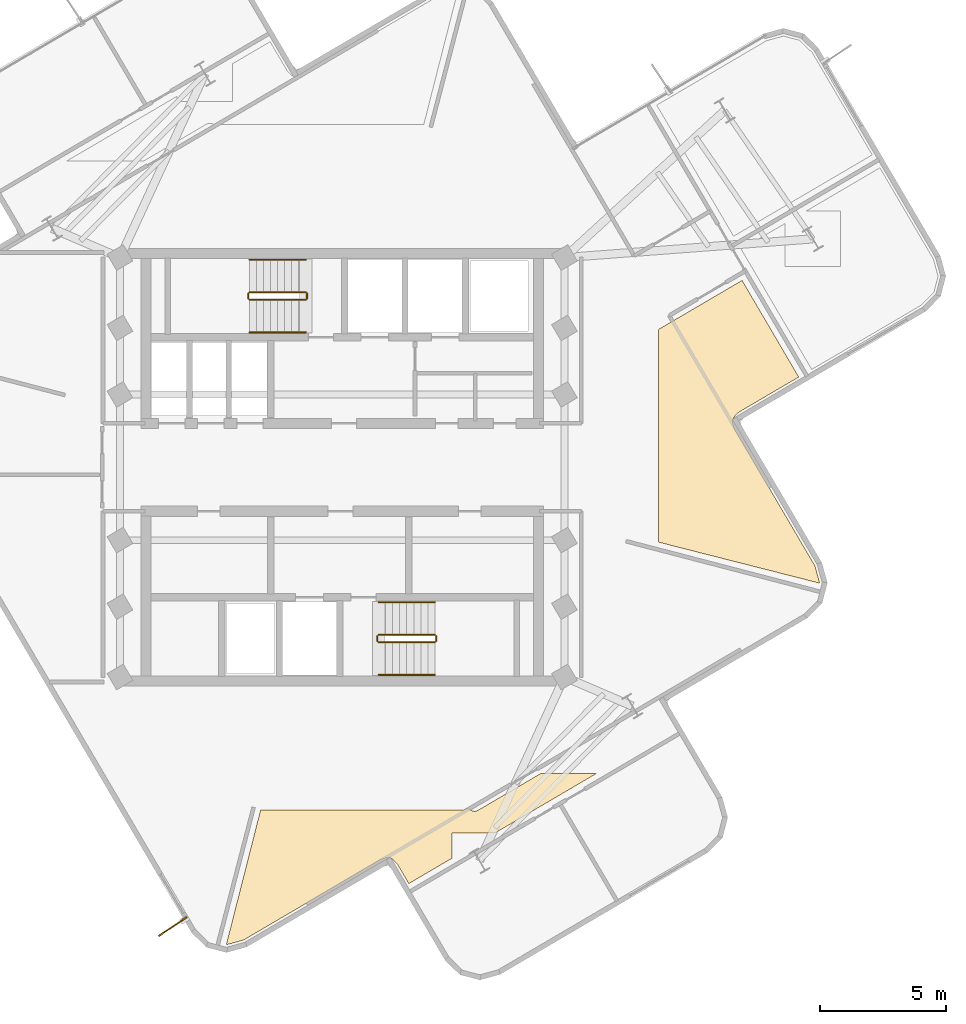
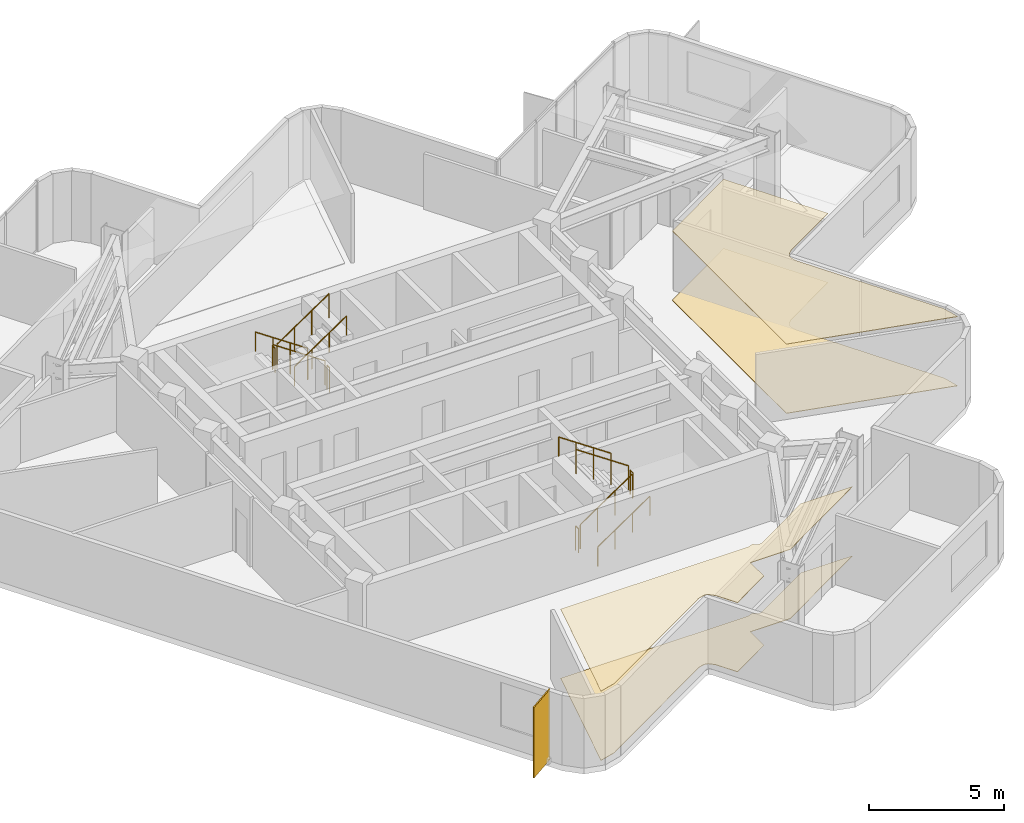
# One storey, part 7 of 8: 12 railings, 4 coverings, 1 shading device.
"""IFC4 building model written with IfcOpenShell, lengths in metres."""

from ifc_helpers import new_model, si_unit, direction, frame, origin, origin_2d, place, context, subcontext, project, spatial, polyline, rectangle, circle, outline, extrude, material, layer, layer_set, type_object, element, save


model = new_model("IFC4")

# Units and contexts
model_context = context("Model", 3, precision=1e-05, world=origin(), true_north=direction((0.0, 1.0)))
body_context = subcontext(model_context, "Body", "Model", "MODEL_VIEW")
ifc_project = project(units=[si_unit("LENGTHUNIT", "METRE"), si_unit("AREAUNIT", "SQUARE_METRE"), si_unit("VOLUMEUNIT", "CUBIC_METRE"), si_unit("PLANEANGLEUNIT", "RADIAN"), si_unit("MASSUNIT", "GRAM", prefix="KILO")], contexts=[model_context])

# Site, building, storey
site_placement = place(None, origin())
site = spatial("IfcSite", under=ifc_project, at=site_placement, CompositionType="ELEMENT")
building_placement = place(site_placement, origin())
building = spatial("IfcBuilding", under=site, at=building_placement, Name="Solmarez Civic Tower", CompositionType="ELEMENT")
storey_placement = place(building_placement, frame((0.0, 0.0, 205.199951171875)))
storey = spatial("IfcBuildingStorey", under=building, at=storey_placement, Name="L54", CompositionType="ELEMENT", Elevation=205.199951171875)

# Coverings
ifc_material_1 = material(Name="Perforated Mineral-Fibre Acoustic Ceiling")
ifc_layer_1 = layer(ifc_material_1, 0.02490234375)
ifc_layer_set_1 = layer_set([ifc_layer_1], Name="Perforated Mineral-Fibre Acoustic Ceiling")
covering_type_1 = type_object("IfcCoveringType", Name="COV-CEIL-ACOUSTIC", PredefinedType="CEILING", material=ifc_layer_set_1)
covering_1_placement = place(storey_placement, frame((0.0, 0.0, 3.135009765625)))
element("IfcCovering", 1, at=covering_1_placement, inside=storey, type_object=covering_type_1, Name="L54 Suspended Acoustic Ceiling 2", PredefinedType="CEILING", context=body_context, shape_type="SweptSolid", body=[
    extrude(outline(polyline([(5.0390625, -13.568115234375), (4.85107421875, -13.635986328125), (4.844970703125, -13.637939453125), (4.818115234375, -13.64501953125), (4.81298828125, -13.64599609375), (4.7919921875, -13.64892578125), (4.77001953125, -13.64990234375), (-3.2490234375, -13.64990234375), (-4.614013671875, -19.010986328125), (-4.60791015625, -19.011962890625), (-3.924072265625, -18.823974609375), (1.510009765625, -15.635986328125), (1.52294921875, -15.62890625), (1.534912109375, -15.623046875), (1.552978515625, -15.614990234375), (1.572998046875, -15.60791015625), (1.5810546875, -15.60595703125), (1.74609375, -15.56005859375), (1.7529296875, -15.55810546875), (1.76904296875, -15.553955078125), (1.785888671875, -15.552001953125), (1.7939453125, -15.551025390625), (1.821044921875, -15.549072265625), (1.827880859375, -15.549072265625), (1.85498046875, -15.551025390625), (1.866943359375, -15.552001953125), (1.8740234375, -15.552978515625), (1.89599609375, -15.55810546875), (1.904052734375, -15.56005859375), (1.910888671875, -15.56103515625), (1.91796875, -15.56298828125), (1.943115234375, -15.572021484375), (1.967041015625, -15.583984375), (1.97412109375, -15.587890625), (1.987060546875, -15.595947265625), (1.992919921875, -15.60009765625), (1.9990234375, -15.60400390625), (2.01806640625, -15.617919921875), (2.02392578125, -15.623046875), (2.0380859375, -15.635986328125), (2.160888671875, -15.757080078125), (2.166015625, -15.761962890625), (2.178955078125, -15.777099609375), (2.18408203125, -15.782958984375), (2.194091796875, -15.797119140625), (2.2041015625, -15.81103515625), (2.2080078125, -15.818115234375), (2.653076171875, -16.576904296875), (4.367919921875, -15.571044921875), (4.367919921875, -14.571044921875), (6.072021484375, -14.571044921875), (10.113037109375, -12.199951171875), (7.89794921875, -12.199951171875), (5.402099609375, -13.6640625), (5.3798828125, -13.675048828125), (5.37109375, -13.678955078125), (5.34912109375, -13.68798828125), (5.324951171875, -13.694091796875), (5.320068359375, -13.695068359375), (5.299072265625, -13.697998046875), (5.277099609375, -13.698974609375), (5.26708984375, -13.698974609375), (5.2451171875, -13.697998046875), (5.22412109375, -13.695068359375), (5.218994140625, -13.694091796875), (5.214111328125, -13.693115234375), (5.205078125, -13.69091796875), (5.18798828125, -13.68603515625), (5.1708984375, -13.679931640625), (5.166015625, -13.677978515625), (5.14794921875, -13.669921875), (5.131103515625, -13.660888671875), (5.123046875, -13.656005859375), (5.10302734375, -13.64111328125), (5.083984375, -13.625), (5.076904296875, -13.617919921875), (5.056884765625, -13.593994140625), (5.051025390625, -13.5859375), (5.0390625, -13.568115234375)])), origin(), (0.0, 0.0, 1.0), 0.025146484375),
])
covering_2_placement = place(storey_placement, frame((0.0, 0.0, 3.135009765625)))
element("IfcCovering", 2, at=covering_2_placement, inside=storey, type_object=covering_type_1, Name="L54 Suspended Acoustic Ceiling 3", PredefinedType="CEILING", context=body_context, shape_type="SweptSolid", body=[
    extrude(outline(polyline([(12.60009765625, 5.490966796875), (12.60009765625, -2.98193359375), (19.010986328125, -4.614013671875), (19.011962890625, -4.60791015625), (18.823974609375, -3.924072265625), (15.635986328125, 1.510009765625), (15.62890625, 1.52294921875), (15.623046875, 1.534912109375), (15.614990234375, 1.552978515625), (15.60791015625, 1.572998046875), (15.60595703125, 1.5810546875), (15.56005859375, 1.74609375), (15.55810546875, 1.7529296875), (15.553955078125, 1.76904296875), (15.552001953125, 1.785888671875), (15.551025390625, 1.7939453125), (15.549072265625, 1.821044921875), (15.549072265625, 1.827880859375), (15.551025390625, 1.85498046875), (15.552001953125, 1.866943359375), (15.552978515625, 1.8740234375), (15.55810546875, 1.89599609375), (15.56005859375, 1.904052734375), (15.56103515625, 1.910888671875), (15.56298828125, 1.91796875), (15.572021484375, 1.943115234375), (15.583984375, 1.967041015625), (15.587890625, 1.97412109375), (15.595947265625, 1.987060546875), (15.60009765625, 1.992919921875), (15.60400390625, 1.9990234375), (15.617919921875, 2.01806640625), (15.623046875, 2.02392578125), (15.635986328125, 2.0380859375), (15.757080078125, 2.160888671875), (15.761962890625, 2.166015625), (15.777099609375, 2.178955078125), (15.782958984375, 2.18408203125), (15.797119140625, 2.194091796875), (15.81103515625, 2.2041015625), (15.818115234375, 2.2080078125), (18.180908203125, 3.593994140625), (15.924072265625, 7.44091796875), (12.60009765625, 5.490966796875)])), origin(), (0.0, 0.0, 1.0), 0.025146484375),
])
ifc_material_2 = material(Name="Polished Tropical Stone Terrazzo Flooring", Category="masonry")
ifc_layer_2 = layer(ifc_material_2, 0.02001953125)
ifc_layer_set_2 = layer_set([ifc_layer_2], Name="Polished Tropical Stone Terrazzo Flooring")
covering_type_2 = type_object("IfcCoveringType", Name="COV-FLOOR-TERRAZZO", PredefinedType="FLOORING", material=ifc_layer_set_2)
covering_3_placement = place(storey_placement, origin())
element("IfcCovering", 3, at=covering_3_placement, inside=storey, type_object=covering_type_2, Name="L54 Terrazzo Floor Finish 2", PredefinedType="FLOORING", context=body_context, shape_type="SweptSolid", body=[
    extrude(outline(polyline([(5.0390625, -13.568115234375), (4.85107421875, -13.635986328125), (4.844970703125, -13.637939453125), (4.818115234375, -13.64501953125), (4.81298828125, -13.64599609375), (4.7919921875, -13.64892578125), (4.77001953125, -13.64990234375), (-3.2490234375, -13.64990234375), (-4.614013671875, -19.010986328125), (-4.60791015625, -19.011962890625), (-3.924072265625, -18.823974609375), (1.510009765625, -15.635986328125), (1.52294921875, -15.62890625), (1.534912109375, -15.623046875), (1.552978515625, -15.614990234375), (1.572998046875, -15.60791015625), (1.5810546875, -15.60595703125), (1.74609375, -15.56005859375), (1.7529296875, -15.55810546875), (1.76904296875, -15.553955078125), (1.785888671875, -15.552001953125), (1.7939453125, -15.551025390625), (1.821044921875, -15.549072265625), (1.827880859375, -15.549072265625), (1.85498046875, -15.551025390625), (1.866943359375, -15.552001953125), (1.8740234375, -15.552978515625), (1.89599609375, -15.55810546875), (1.904052734375, -15.56005859375), (1.910888671875, -15.56103515625), (1.91796875, -15.56298828125), (1.943115234375, -15.572021484375), (1.967041015625, -15.583984375), (1.97412109375, -15.587890625), (1.987060546875, -15.595947265625), (1.992919921875, -15.60009765625), (1.9990234375, -15.60400390625), (2.01806640625, -15.617919921875), (2.02392578125, -15.623046875), (2.0380859375, -15.635986328125), (2.160888671875, -15.757080078125), (2.166015625, -15.761962890625), (2.178955078125, -15.777099609375), (2.18408203125, -15.782958984375), (2.194091796875, -15.797119140625), (2.2041015625, -15.81103515625), (2.2080078125, -15.818115234375), (2.653076171875, -16.576904296875), (4.367919921875, -15.571044921875), (4.367919921875, -14.571044921875), (6.072021484375, -14.571044921875), (10.113037109375, -12.199951171875), (7.89794921875, -12.199951171875), (5.402099609375, -13.6640625), (5.3798828125, -13.675048828125), (5.37109375, -13.678955078125), (5.34912109375, -13.68798828125), (5.324951171875, -13.694091796875), (5.320068359375, -13.695068359375), (5.299072265625, -13.697998046875), (5.277099609375, -13.698974609375), (5.26708984375, -13.698974609375), (5.2451171875, -13.697998046875), (5.22412109375, -13.695068359375), (5.218994140625, -13.694091796875), (5.214111328125, -13.693115234375), (5.205078125, -13.69091796875), (5.18798828125, -13.68603515625), (5.1708984375, -13.679931640625), (5.166015625, -13.677978515625), (5.14794921875, -13.669921875), (5.131103515625, -13.660888671875), (5.123046875, -13.656005859375), (5.10302734375, -13.64111328125), (5.083984375, -13.625), (5.076904296875, -13.617919921875), (5.056884765625, -13.593994140625), (5.051025390625, -13.5859375), (5.0390625, -13.568115234375)])), origin(), (0.0, 0.0, 1.0), 0.02001953125),
])
covering_4_placement = place(storey_placement, origin())
element("IfcCovering", 4, at=covering_4_placement, inside=storey, type_object=covering_type_2, Name="L54 Terrazzo Floor Finish 3", PredefinedType="FLOORING", context=body_context, shape_type="SweptSolid", body=[
    extrude(outline(polyline([(12.60009765625, 5.490966796875), (12.60009765625, -2.98193359375), (19.010986328125, -4.614013671875), (19.011962890625, -4.60791015625), (18.823974609375, -3.924072265625), (15.635986328125, 1.510009765625), (15.62890625, 1.52294921875), (15.623046875, 1.534912109375), (15.614990234375, 1.552978515625), (15.60791015625, 1.572998046875), (15.60595703125, 1.5810546875), (15.56005859375, 1.74609375), (15.55810546875, 1.7529296875), (15.553955078125, 1.76904296875), (15.552001953125, 1.785888671875), (15.551025390625, 1.7939453125), (15.549072265625, 1.821044921875), (15.549072265625, 1.827880859375), (15.551025390625, 1.85498046875), (15.552001953125, 1.866943359375), (15.552978515625, 1.8740234375), (15.55810546875, 1.89599609375), (15.56005859375, 1.904052734375), (15.56103515625, 1.910888671875), (15.56298828125, 1.91796875), (15.572021484375, 1.943115234375), (15.583984375, 1.967041015625), (15.587890625, 1.97412109375), (15.595947265625, 1.987060546875), (15.60009765625, 1.992919921875), (15.60400390625, 1.9990234375), (15.617919921875, 2.01806640625), (15.623046875, 2.02392578125), (15.635986328125, 2.0380859375), (15.757080078125, 2.160888671875), (15.761962890625, 2.166015625), (15.777099609375, 2.178955078125), (15.782958984375, 2.18408203125), (15.797119140625, 2.194091796875), (15.81103515625, 2.2041015625), (15.818115234375, 2.2080078125), (18.180908203125, 3.593994140625), (15.924072265625, 7.44091796875), (12.60009765625, 5.490966796875)])), origin(), (0.0, 0.0, 1.0), 0.02001953125),
])

# Shading device
ifc_material_3 = material(Name="Bronze Anodised Aluminium EN AW-6063 T6", Category="aluminium")
ifc_layer_3 = layer(ifc_material_3, 0.054931640625)
ifc_layer_set_3 = layer_set([ifc_layer_3], Name="Bronze Anodised Aluminium EN AW-6063 T6")
shading_device_type = type_object("IfcShadingDeviceType", Name="FIN-BRONZE-Z56", PredefinedType="USERDEFINED", material=ifc_layer_set_3)
shading_device_placement = place(storey_placement, frame((-6.7470703125, -18.291015625, -0.0400390625), z_axis=(0.0, 0.0, 1.0), x_axis=(-0.830955340565, -0.556339124983, 0.0)))
element("IfcShadingDevice", 5, at=shading_device_placement, inside=storey, type_object=shading_device_type, Name="L54 Anodised Bronze Solar Fin FIN-L54-01", ObjectType="FIN", PredefinedType="USERDEFINED", context=body_context, shape_type="SweptSolid", body=[
    extrude(rectangle(XDim=1.35009765625, YDim=0.054931640625, at=origin_2d()), origin(), (0.0, 0.0, 1.0), 3.199951171875),
])

# Railings
ifc_material_4 = material(Name="Painted Steel Stairwell Safety Guard", Category="steel")
railing_type_1 = type_object("IfcRailingType", Name="GUARD-STAIR-1120", PredefinedType="BALUSTRADE", material=ifc_material_4)
railing_1_placement = place(storey_placement, frame((-1.449951171875, 6.969970703125, 0.18994140625)))
element("IfcRailing", 6, at=railing_1_placement, inside=storey, type_object=railing_type_1, Name="L54 ST-1 stair guard 1", PredefinedType="BALUSTRADE", context=body_context, shape_type="SweptSolid", body=[
    extrude(circle(Radius=0.02392578125, at=origin_2d()), frame((0.0, 0.0, 1.09619140625), z_axis=(-0.827471284677, 0.0, 0.561508034703), x_axis=(0.0, -1.0, 0.0)), (0.0, 0.0, 1.0), 2.70703125),
    extrude(circle(Radius=0.02099609375, at=origin_2d()), origin(), (0.0, 0.0, 1.0), 1.072021484375),
    extrude(circle(Radius=0.02099609375, at=origin_2d()), frame((-0.74658203125, 0.0, 0.506591796875)), (0.0, 0.0, 1.0), 1.072021484375),
    extrude(circle(Radius=0.02099609375, at=origin_2d()), frame((-1.493408203125, 0.0, 1.013427734375)), (0.0, 0.0, 1.0), 1.072021484375),
    extrude(circle(Radius=0.02099609375, at=origin_2d()), frame((-2.239990234375, 0.0, 1.52001953125)), (0.0, 0.0, 1.0), 1.072021484375),
])
railing_2_placement = place(storey_placement, frame((-3.739990234375, 6.919921875, 1.7099609375)))
element("IfcRailing", 7, at=railing_2_placement, inside=storey, type_object=railing_type_1, Name="L54 ST-1 stair guard 2", PredefinedType="BALUSTRADE", context=body_context, shape_type="SweptSolid", body=[
    extrude(circle(Radius=0.02392578125, at=origin_2d()), frame((0.0, 0.0, 1.09619140625), z_axis=(0.0, -1.0, 0.0), x_axis=(1.0, 0.0, 0.0)), (0.0, 0.0, 1.0), 0.199951171875),
    extrude(circle(Radius=0.02099609375, at=origin_2d()), origin(), (0.0, 0.0, 1.0), 1.072021484375),
    extrude(circle(Radius=0.02099609375, at=origin_2d()), frame((0.0, -0.199951171875, 0.0)), (0.0, 0.0, 1.0), 1.072021484375),
])
railing_3_placement = place(storey_placement, frame((-3.68994140625, 6.669921875, 1.900146484375)))
element("IfcRailing", 8, at=railing_3_placement, inside=storey, type_object=railing_type_1, Name="L54 ST-1 stair guard 3", PredefinedType="BALUSTRADE", context=body_context, shape_type="SweptSolid", body=[
    extrude(circle(Radius=0.02392578125, at=origin_2d()), frame((0.0, 0.0, 1.09619140625), z_axis=(0.827471284677, 0.0, 0.561508034703), x_axis=(0.0, 1.0, 0.0)), (0.0, 0.0, 1.0), 2.70703125),
    extrude(circle(Radius=0.02099609375, at=origin_2d()), origin(), (0.0, 0.0, 1.0), 1.072021484375),
    extrude(circle(Radius=0.02099609375, at=origin_2d()), frame((0.74658203125, 0.0, 0.506591796875)), (0.0, 0.0, 1.0), 1.072021484375),
    extrude(circle(Radius=0.02099609375, at=origin_2d()), frame((1.493408203125, 0.0, 1.013427734375)), (0.0, 0.0, 1.0), 1.072021484375),
    extrude(circle(Radius=0.02099609375, at=origin_2d()), frame((2.239990234375, 0.0, 1.52001953125)), (0.0, 0.0, 1.0), 1.072021484375),
])
railing_4_placement = place(storey_placement, frame((-1.39990234375, 6.919921875, 0.0)))
element("IfcRailing", 9, at=railing_4_placement, inside=storey, type_object=railing_type_1, Name="L54 ST-1 stair guard 4", PredefinedType="BALUSTRADE", context=body_context, shape_type="SweptSolid", body=[
    extrude(circle(Radius=0.02392578125, at=origin_2d()), frame((0.0, 0.0, 1.09619140625), z_axis=(0.0, -1.0, 0.0), x_axis=(1.0, 0.0, 0.0)), (0.0, 0.0, 1.0), 0.199951171875),
    extrude(circle(Radius=0.02099609375, at=origin_2d()), origin(), (0.0, 0.0, 1.0), 1.072021484375),
    extrude(circle(Radius=0.02099609375, at=origin_2d()), frame((0.0, -0.199951171875, 0.0)), (0.0, 0.0, 1.0), 1.072021484375),
])
railing_5_placement = place(storey_placement, frame((1.449951171875, -6.969970703125, 0.18994140625)))
element("IfcRailing", 10, at=railing_5_placement, inside=storey, type_object=railing_type_1, Name="L54 ST-2 stair guard 1", PredefinedType="BALUSTRADE", context=body_context, shape_type="SweptSolid", body=[
    extrude(circle(Radius=0.02392578125, at=origin_2d()), frame((0.0, 0.0, 1.09619140625), z_axis=(0.827471284677, 0.0, 0.561508034703), x_axis=(0.0, 1.0, 0.0)), (0.0, 0.0, 1.0), 2.70703125),
    extrude(circle(Radius=0.02099609375, at=origin_2d()), origin(), (0.0, 0.0, 1.0), 1.072021484375),
    extrude(circle(Radius=0.02099609375, at=origin_2d()), frame((0.74658203125, 0.0, 0.506591796875)), (0.0, 0.0, 1.0), 1.072021484375),
    extrude(circle(Radius=0.02099609375, at=origin_2d()), frame((1.493408203125, 0.0, 1.013427734375)), (0.0, 0.0, 1.0), 1.072021484375),
    extrude(circle(Radius=0.02099609375, at=origin_2d()), frame((2.239990234375, 0.0, 1.52001953125)), (0.0, 0.0, 1.0), 1.072021484375),
])
railing_6_placement = place(storey_placement, frame((3.739990234375, -6.919921875, 1.7099609375)))
element("IfcRailing", 11, at=railing_6_placement, inside=storey, type_object=railing_type_1, Name="L54 ST-2 stair guard 2", PredefinedType="BALUSTRADE", context=body_context, shape_type="SweptSolid", body=[
    extrude(circle(Radius=0.02392578125, at=origin_2d()), frame((0.0, 0.0, 1.09619140625), z_axis=(0.0, 1.0, 0.0), x_axis=(-1.0, 0.0, 0.0)), (0.0, 0.0, 1.0), 0.199951171875),
    extrude(circle(Radius=0.02099609375, at=origin_2d()), origin(), (0.0, 0.0, 1.0), 1.072021484375),
    extrude(circle(Radius=0.02099609375, at=origin_2d()), frame((0.0, 0.199951171875, 0.0)), (0.0, 0.0, 1.0), 1.072021484375),
])
railing_7_placement = place(storey_placement, frame((3.68994140625, -6.669921875, 1.900146484375)))
element("IfcRailing", 12, at=railing_7_placement, inside=storey, type_object=railing_type_1, Name="L54 ST-2 stair guard 3", PredefinedType="BALUSTRADE", context=body_context, shape_type="SweptSolid", body=[
    extrude(circle(Radius=0.02392578125, at=origin_2d()), frame((0.0, 0.0, 1.09619140625), z_axis=(-0.827471284677, 0.0, 0.561508034703), x_axis=(0.0, -1.0, 0.0)), (0.0, 0.0, 1.0), 2.70703125),
    extrude(circle(Radius=0.02099609375, at=origin_2d()), origin(), (0.0, 0.0, 1.0), 1.072021484375),
    extrude(circle(Radius=0.02099609375, at=origin_2d()), frame((-0.74658203125, 0.0, 0.506591796875)), (0.0, 0.0, 1.0), 1.072021484375),
    extrude(circle(Radius=0.02099609375, at=origin_2d()), frame((-1.493408203125, 0.0, 1.013427734375)), (0.0, 0.0, 1.0), 1.072021484375),
    extrude(circle(Radius=0.02099609375, at=origin_2d()), frame((-2.239990234375, 0.0, 1.52001953125)), (0.0, 0.0, 1.0), 1.072021484375),
])
railing_8_placement = place(storey_placement, frame((1.39990234375, -6.919921875, 0.0)))
element("IfcRailing", 13, at=railing_8_placement, inside=storey, type_object=railing_type_1, Name="L54 ST-2 stair guard 4", PredefinedType="BALUSTRADE", context=body_context, shape_type="SweptSolid", body=[
    extrude(circle(Radius=0.02392578125, at=origin_2d()), frame((0.0, 0.0, 1.09619140625), z_axis=(0.0, 1.0, 0.0), x_axis=(-1.0, 0.0, 0.0)), (0.0, 0.0, 1.0), 0.199951171875),
    extrude(circle(Radius=0.02099609375, at=origin_2d()), origin(), (0.0, 0.0, 1.0), 1.072021484375),
    extrude(circle(Radius=0.02099609375, at=origin_2d()), frame((0.0, 0.199951171875, 0.0)), (0.0, 0.0, 1.0), 1.072021484375),
])
ifc_material_5 = material(Name="Brushed Stainless Steel Tube Handrail", Category="steel")
railing_type_2 = type_object("IfcRailingType", Name="HANDRAIL-STAIR-900", PredefinedType="HANDRAIL", material=ifc_material_5)
railing_9_placement = place(storey_placement, frame((-1.449951171875, 8.27001953125, 0.18994140625)))
element("IfcRailing", 14, at=railing_9_placement, inside=storey, type_object=railing_type_2, Name="L54 ST-1 stair handrail 1", PredefinedType="HANDRAIL", context=body_context, shape_type="SweptSolid", body=[
    extrude(circle(Radius=0.02392578125, at=origin_2d()), frame((0.0, 0.0, 0.8759765625), z_axis=(-0.827471284677, 0.0, 0.561508034703), x_axis=(0.0, -1.0, 0.0)), (0.0, 0.0, 1.0), 2.70703125),
    extrude(circle(Radius=0.02099609375, at=origin_2d()), origin(), (0.0, 0.0, 1.0), 0.851806640625),
    extrude(circle(Radius=0.02099609375, at=origin_2d()), frame((-0.74658203125, 0.0, 0.506591796875)), (0.0, 0.0, 1.0), 0.851806640625),
    extrude(circle(Radius=0.02099609375, at=origin_2d()), frame((-1.493408203125, 0.0, 1.013427734375)), (0.0, 0.0, 1.0), 0.851806640625),
    extrude(circle(Radius=0.02099609375, at=origin_2d()), frame((-2.239990234375, 0.0, 1.52001953125)), (0.0, 0.0, 1.0), 0.851806640625),
])
for number, where, name in (
    (15, (-3.68994140625, 5.3701171875, 1.900146484375), "L54 ST-1 stair handrail 2"),
    (16, (1.449951171875, -8.27001953125, 0.18994140625), "L54 ST-2 stair handrail 1"),
):
    element("IfcRailing", number, at=place(storey_placement, frame(where)), inside=storey, type_object=railing_type_2, Name=name, PredefinedType="HANDRAIL", context=body_context, shape_type="SweptSolid", body=[
        extrude(circle(Radius=0.02392578125, at=origin_2d()), frame((0.0, 0.0, 0.8759765625), z_axis=(0.827471284677, 0.0, 0.561508034703), x_axis=(0.0, 1.0, 0.0)), (0.0, 0.0, 1.0), 2.70703125),
        extrude(circle(Radius=0.02099609375, at=origin_2d()), origin(), (0.0, 0.0, 1.0), 0.851806640625),
        extrude(circle(Radius=0.02099609375, at=origin_2d()), frame((0.74658203125, 0.0, 0.506591796875)), (0.0, 0.0, 1.0), 0.851806640625),
        extrude(circle(Radius=0.02099609375, at=origin_2d()), frame((1.493408203125, 0.0, 1.013427734375)), (0.0, 0.0, 1.0), 0.851806640625),
        extrude(circle(Radius=0.02099609375, at=origin_2d()), frame((2.239990234375, 0.0, 1.52001953125)), (0.0, 0.0, 1.0), 0.851806640625),
    ])
railing_10_placement = place(storey_placement, frame((3.68994140625, -5.3701171875, 1.900146484375)))
element("IfcRailing", 17, at=railing_10_placement, inside=storey, type_object=railing_type_2, Name="L54 ST-2 stair handrail 2", PredefinedType="HANDRAIL", context=body_context, shape_type="SweptSolid", body=[
    extrude(circle(Radius=0.02392578125, at=origin_2d()), frame((0.0, 0.0, 0.8759765625), z_axis=(-0.827471284677, 0.0, 0.561508034703), x_axis=(0.0, -1.0, 0.0)), (0.0, 0.0, 1.0), 2.70703125),
    extrude(circle(Radius=0.02099609375, at=origin_2d()), origin(), (0.0, 0.0, 1.0), 0.851806640625),
    extrude(circle(Radius=0.02099609375, at=origin_2d()), frame((-0.74658203125, 0.0, 0.506591796875)), (0.0, 0.0, 1.0), 0.851806640625),
    extrude(circle(Radius=0.02099609375, at=origin_2d()), frame((-1.493408203125, 0.0, 1.013427734375)), (0.0, 0.0, 1.0), 0.851806640625),
    extrude(circle(Radius=0.02099609375, at=origin_2d()), frame((-2.239990234375, 0.0, 1.52001953125)), (0.0, 0.0, 1.0), 0.851806640625),
])

save(model, "model.ifc")
